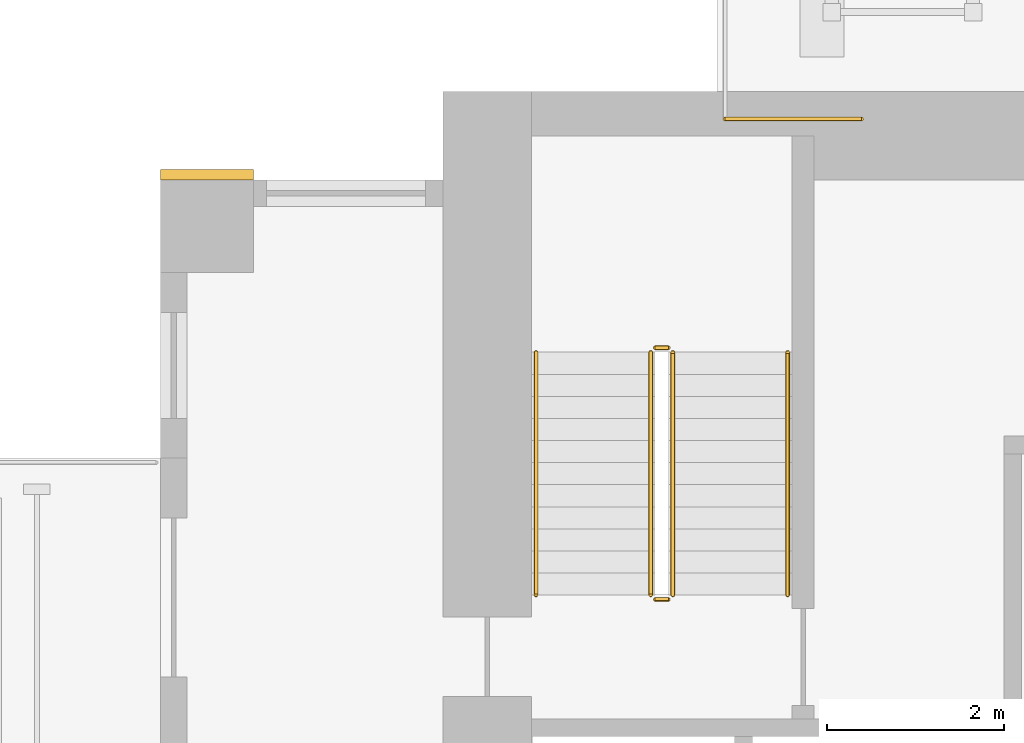
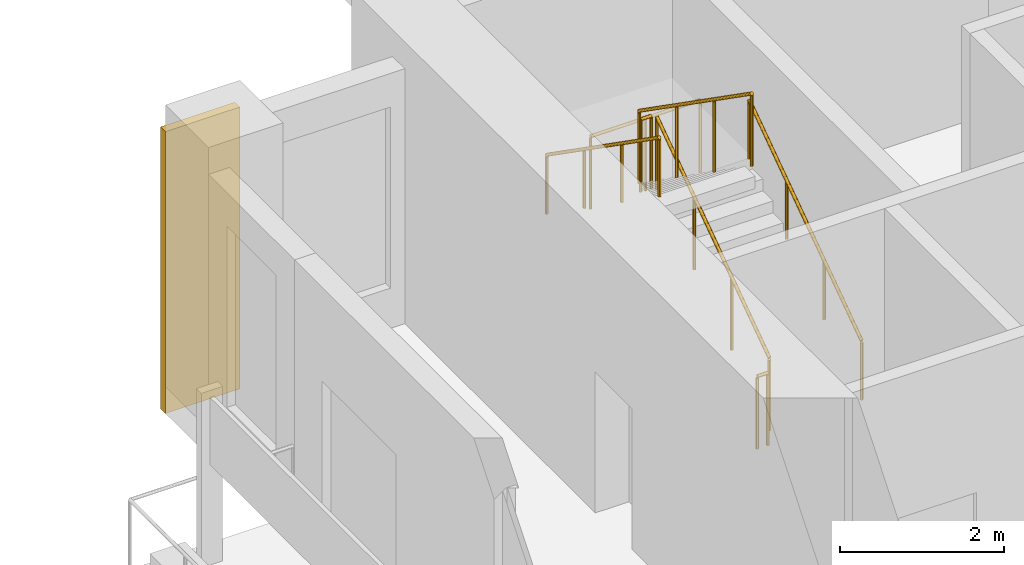
# One storey, part 13 of 16: 7 railings, 1 covering.
"""IFC4 building model written with IfcOpenShell, lengths in metres."""

from ifc_helpers import new_model, si_unit, direction, frame, origin, origin_2d, place, context, subcontext, project, spatial, rectangle, circle, extrude, source, transform, mapped, material, type_object, element, save


model = new_model("IFC4")

# Units and contexts
model_context = context("Model", 3, precision=1e-05, world=origin(), true_north=direction((0.0, 1.0)))
body_context = subcontext(model_context, "Body", "Model", "MODEL_VIEW")
ifc_project = project(units=[si_unit("LENGTHUNIT", "METRE"), si_unit("AREAUNIT", "SQUARE_METRE"), si_unit("VOLUMEUNIT", "CUBIC_METRE"), si_unit("PLANEANGLEUNIT", "RADIAN"), si_unit("MASSUNIT", "GRAM", prefix="KILO")], contexts=[model_context])

# Site, building, storey
site_placement = place(None, origin())
site = spatial("IfcSite", under=ifc_project, at=site_placement, CompositionType="ELEMENT")
building_placement = place(site_placement, origin())
building = spatial("IfcBuilding", under=site, at=building_placement, Name="Aurelian Terraces", CompositionType="ELEMENT")
storey_placement = place(building_placement, frame((0.0, 0.0, 124.5)))
storey = spatial("IfcBuildingStorey", under=building, at=storey_placement, Name="L27", CompositionType="ELEMENT", Elevation=124.5)

# Railing
ifc_material_1 = material(Name="Anodised aluminium", Category="aluminium")
railing_type_1 = type_object("IfcRailingType", Name="GUARD-1100", PredefinedType="GUARDRAIL", material=ifc_material_1)
railing_1_placement = place(storey_placement, frame((7.9371, 21.69, 0.0)))
element("IfcRailing", 1, at=railing_1_placement, inside=storey, type_object=railing_type_1, Name="Terrace guard L27 SKY-04-T1.1", PredefinedType="GUARDRAIL", context=body_context, shape_type="SweptSolid", body=[
    extrude(circle(Radius=0.024, at=origin_2d()), frame((0.0, 0.0, 1.076), z_axis=(-1.0, 0.0, 0.0), x_axis=(0.0, -1.0, 0.0)), (0.0, 0.0, 1.0), 1.5471),
    extrude(circle(Radius=0.021, at=origin_2d()), origin(), (0.0, 0.0, 1.0), 1.052),
    extrude(circle(Radius=0.021, at=origin_2d()), frame((-0.7736, 0.0, 0.0)), (0.0, 0.0, 1.0), 1.052),
    extrude(circle(Radius=0.021, at=origin_2d()), frame((-1.5471, 0.0, 0.0)), (0.0, 0.0, 1.0), 1.052),
])

# Covering
ifc_material_2 = material(Name="Terracotta rainscreen cladding relief", Category="masonry")
covering_type = type_object("IfcCoveringType", Name="BAGUETTE-TC", PredefinedType="CLADDING", material=ifc_material_2)
shared_shape_1 = source(origin(), body_context, "Body", "SweptSolid", [
    extrude(rectangle(XDim=1.05, YDim=0.12, at=origin_2d()), origin(), (0.0, 0.0, 1.0), 4.2),
])
covering_placement = place(storey_placement, frame((0.525, 21.06, -0.4), z_axis=(0.0, 0.0, 1.0), x_axis=(1.0, 0.0, 0.0)))
element("IfcCovering", 2, at=covering_placement, inside=storey, type_object=covering_type, Name="BAGUETTE pier L27 6", PredefinedType="CLADDING", context=body_context, shape_type="MappedRepresentation", body=[
    mapped(shared_shape_1, transform((0.0, 0.0, 0.0), scale=1.0)),
])

# Railings
ifc_material_3 = material(Name="Stainless steel", Category="steel")
railing_type_2 = type_object("IfcRailingType", Name="Stair guard 1100", PredefinedType="GUARDRAIL", material=ifc_material_3)
shared_shape_2 = source(origin(), body_context, "Body", "SweptSolid", [
    extrude(circle(Radius=0.024, at=origin_2d()), frame((0.0, 0.0, 1.076), z_axis=(-1.0, 0.0, 0.0), x_axis=(0.0, -1.0, 0.0)), (0.0, 0.0, 1.0), 0.15),
    extrude(circle(Radius=0.021, at=origin_2d()), origin(), (0.0, 0.0, 1.0), 1.052),
    extrude(circle(Radius=0.021, at=origin_2d()), frame((-0.15, 0.0, 0.0)), (0.0, 0.0, 1.0), 1.052),
])
for number, where, name in (
    (3, (5.75, 19.1, 2.1), "L27 S1 stair guard 2"),
    (4, (5.75, 16.25, 0.0), "L27 S1 stair guard 4"),
):
    element("IfcRailing", number, at=place(storey_placement, frame(where)), inside=storey, type_object=railing_type_2, Name=name, PredefinedType="GUARDRAIL", context=body_context, shape_type="MappedRepresentation", body=[
        mapped(shared_shape_2, transform((0.0, 0.0, 0.0), scale=1.0)),
    ])
shared_shape_3 = source(origin(), body_context, "Body", "SweptSolid", [
    extrude(circle(Radius=0.024, at=origin_2d()), frame((0.0, 0.0, 1.076), z_axis=(0.0, 0.819231920519, 0.573462344363), x_axis=(-1.0, 0.0, 0.0)), (0.0, 0.0, 1.0), 3.3568),
    extrude(circle(Radius=0.021, at=origin_2d()), origin(), (0.0, 0.0, 1.0), 1.052),
    extrude(circle(Radius=0.021, at=origin_2d()), frame((0.0, 0.9167, 0.6417)), (0.0, 0.0, 1.0), 1.052),
    extrude(circle(Radius=0.021, at=origin_2d()), frame((0.0, 1.8333, 1.2833)), (0.0, 0.0, 1.0), 1.052),
    extrude(circle(Radius=0.021, at=origin_2d()), frame((0.0, 2.75, 1.925)), (0.0, 0.0, 1.0), 1.052),
])
railing_2_placement = place(storey_placement, frame((5.8, 16.3, 0.175)))
element("IfcRailing", 5, at=railing_2_placement, inside=storey, type_object=railing_type_2, Name="L27 S1 stair guard 1", PredefinedType="GUARDRAIL", context=body_context, shape_type="MappedRepresentation", body=[
    mapped(shared_shape_3, transform((0.0, 0.0, 0.0), scale=1.0)),
])
shared_shape_4 = source(origin(), body_context, "Body", "SweptSolid", [
    extrude(circle(Radius=0.024, at=origin_2d()), frame((0.0, 0.0, 1.076), z_axis=(0.0, -0.819231920519, 0.573462344363), x_axis=(1.0, 0.0, 0.0)), (0.0, 0.0, 1.0), 3.3568),
    extrude(circle(Radius=0.021, at=origin_2d()), origin(), (0.0, 0.0, 1.0), 1.052),
    extrude(circle(Radius=0.021, at=origin_2d()), frame((0.0, -0.9167, 0.6417)), (0.0, 0.0, 1.0), 1.052),
    extrude(circle(Radius=0.021, at=origin_2d()), frame((0.0, -1.8333, 1.2833)), (0.0, 0.0, 1.0), 1.052),
    extrude(circle(Radius=0.021, at=origin_2d()), frame((0.0, -2.75, 1.925)), (0.0, 0.0, 1.0), 1.052),
])
railing_3_placement = place(storey_placement, frame((5.55, 19.05, 2.275)))
element("IfcRailing", 6, at=railing_3_placement, inside=storey, type_object=railing_type_2, Name="L27 S1 stair guard 3", PredefinedType="GUARDRAIL", context=body_context, shape_type="MappedRepresentation", body=[
    mapped(shared_shape_4, transform((0.0, 0.0, 0.0), scale=1.0)),
])
railing_type_3 = type_object("IfcRailingType", Name="Stair handrail", PredefinedType="HANDRAIL", material=ifc_material_3)
shared_shape_5 = source(origin(), body_context, "Body", "SweptSolid", [
    extrude(circle(Radius=0.024, at=origin_2d()), frame((0.0, 0.0, 0.876), z_axis=(0.0, 0.819231920519, 0.573462344363), x_axis=(-1.0, 0.0, 0.0)), (0.0, 0.0, 1.0), 3.3568),
    extrude(circle(Radius=0.021, at=origin_2d()), origin(), (0.0, 0.0, 1.0), 0.852),
    extrude(circle(Radius=0.021, at=origin_2d()), frame((0.0, 0.9167, 0.6417)), (0.0, 0.0, 1.0), 0.852),
    extrude(circle(Radius=0.021, at=origin_2d()), frame((0.0, 1.8333, 1.2833)), (0.0, 0.0, 1.0), 0.852),
    extrude(circle(Radius=0.021, at=origin_2d()), frame((0.0, 2.75, 1.925)), (0.0, 0.0, 1.0), 0.852),
])
railing_4_placement = place(storey_placement, frame((7.1, 16.3, 0.175)))
element("IfcRailing", 7, at=railing_4_placement, inside=storey, type_object=railing_type_3, Name="L27 S1 stair handrail 1", PredefinedType="HANDRAIL", context=body_context, shape_type="MappedRepresentation", body=[
    mapped(shared_shape_5, transform((0.0, 0.0, 0.0), scale=1.0)),
])
shared_shape_6 = source(origin(), body_context, "Body", "SweptSolid", [
    extrude(circle(Radius=0.024, at=origin_2d()), frame((0.0, 0.0, 0.876), z_axis=(0.0, -0.819231920519, 0.573462344363), x_axis=(1.0, 0.0, 0.0)), (0.0, 0.0, 1.0), 3.3568),
    extrude(circle(Radius=0.021, at=origin_2d()), origin(), (0.0, 0.0, 1.0), 0.852),
    extrude(circle(Radius=0.021, at=origin_2d()), frame((0.0, -0.9167, 0.6417)), (0.0, 0.0, 1.0), 0.852),
    extrude(circle(Radius=0.021, at=origin_2d()), frame((0.0, -1.8333, 1.2833)), (0.0, 0.0, 1.0), 0.852),
    extrude(circle(Radius=0.021, at=origin_2d()), frame((0.0, -2.75, 1.925)), (0.0, 0.0, 1.0), 0.852),
])
railing_5_placement = place(storey_placement, frame((4.25, 19.05, 2.275)))
element("IfcRailing", 8, at=railing_5_placement, inside=storey, type_object=railing_type_3, Name="L27 S1 stair handrail 2", PredefinedType="HANDRAIL", context=body_context, shape_type="MappedRepresentation", body=[
    mapped(shared_shape_6, transform((0.0, 0.0, 0.0), scale=1.0)),
])

save(model, "model.ifc")
